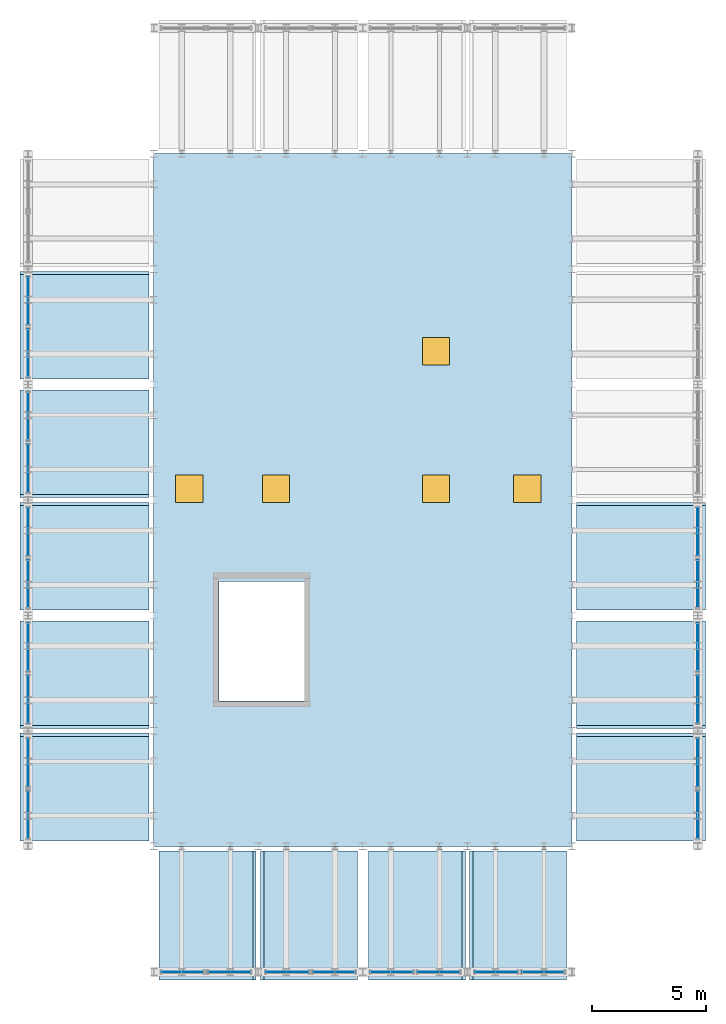
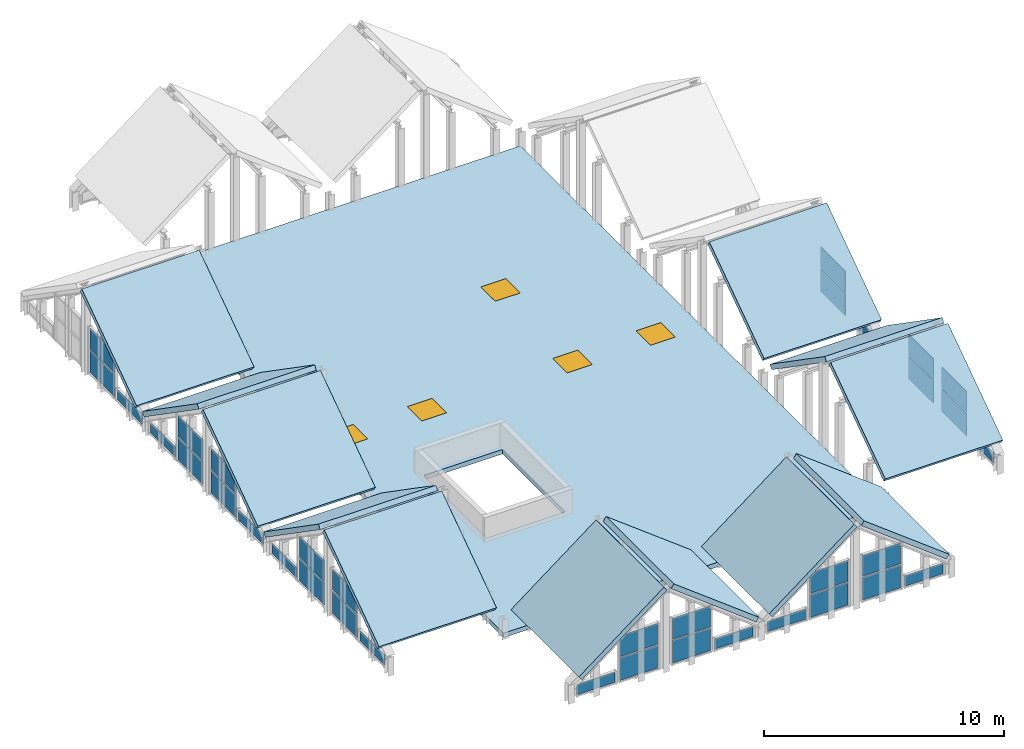
# One storey, part 20 of 21: 36 plates, 13 slabs, 5 doors, 5 openings, 24 elements without a shape of their own.
"""IFC4 building model written with IfcOpenShell, lengths in metres."""

from ifc_helpers import new_model, si_unit, direction, frame, origin, origin_2d, place, context, subcontext, project, spatial, polyline, rectangle, outline, extrude, source, transform, mapped, material, layer, layer_set, type_object, element, fill, aggregate, save


model = new_model("IFC4")

# Units and contexts
model_context = context("Model", 3, precision=1e-05, world=origin(), true_north=direction((0.0, 1.0)))
body_context = subcontext(model_context, "Body", "Model", "MODEL_VIEW")
ifc_project = project(units=[si_unit("LENGTHUNIT", "METRE"), si_unit("AREAUNIT", "SQUARE_METRE"), si_unit("VOLUMEUNIT", "CUBIC_METRE"), si_unit("PLANEANGLEUNIT", "RADIAN"), si_unit("MASSUNIT", "GRAM", prefix="KILO")], contexts=[model_context])

# Site, building, storey
site_placement = place(None, origin())
site = spatial("IfcSite", under=ifc_project, at=site_placement, CompositionType="ELEMENT")
building_placement = place(site_placement, origin())
building = spatial("IfcBuilding", under=site, at=building_placement, Name="Saelheon Loggia Tower", CompositionType="ELEMENT")
storey_placement = place(building_placement, frame((0.0, 0.0, 275.0)))
storey = spatial("IfcBuildingStorey", under=building, at=storey_placement, Name="ROOF", CompositionType="ELEMENT", Elevation=275.0)

# Slab, openings, doors
ifc_material_1 = material(Name="Concrete C45/55", Category="concrete")
ifc_layer_1 = layer(ifc_material_1, 0.22998046875)
ifc_layer_set_1 = layer_set([ifc_layer_1], Name="Concrete C45/55")
slab_type_1 = type_object("IfcSlabType", Name="Slab_ShoulderRoof_230", PredefinedType="ROOF", material=ifc_layer_set_1)
slab_1_placement = place(storey_placement, frame((0.0, 0.0, -0.22998046875)))
slab_1 = element("IfcSlab", 1, at=slab_1_placement, inside=storey, type_object=slab_type_1, Name="Crown Roof Access Bay Slab", PredefinedType="ROOF", context=body_context, shape_type="SweptSolid", body=[
    extrude(outline(polyline([(28.85009765625, 11.85009765625), (47.14990234375, 11.85009765625), (47.14990234375, 42.14990234375), (28.85009765625, 42.14990234375), (28.85009765625, 11.85009765625)]), holes=[polyline([(31.699951171875, 23.429931640625), (31.699951171875, 18.199951171875), (35.47998046875, 18.199951171875), (35.47998046875, 23.429931640625), (31.699951171875, 23.429931640625)])]), origin(), (0.0, 0.0, 1.0), 0.22998046875),
])
opening_1_placement = place(slab_1_placement, frame((30.39990234375, 27.5, 0.0)))
opening_1 = element("IfcOpeningElement", 2, at=opening_1_placement, cuts=slab_1, Name="Opening RH-01", PredefinedType="OPENING", context=body_context, shape_type="SweptSolid", body=[
    extrude(rectangle(XDim=1.199951171875, YDim=1.199951171875, at=origin_2d()), frame((0.0, 0.0, -0.011962890625)), (0.0, 0.0, 1.0), 0.25390625),
])
opening_2_placement = place(slab_1_placement, frame((34.199951171875, 27.5, 0.0)))
opening_2 = element("IfcOpeningElement", 3, at=opening_2_placement, cuts=slab_1, Name="Opening RH-01", PredefinedType="OPENING", context=body_context, shape_type="SweptSolid", body=[
    extrude(rectangle(XDim=1.199951171875, YDim=1.199951171875, at=origin_2d()), frame((0.0, 0.0, -0.011962890625)), (0.0, 0.0, 1.0), 0.25390625),
])
opening_3_placement = place(slab_1_placement, frame((41.199951171875, 27.5, 0.0)))
opening_3 = element("IfcOpeningElement", 4, at=opening_3_placement, cuts=slab_1, Name="Opening RH-01", PredefinedType="OPENING", context=body_context, shape_type="SweptSolid", body=[
    extrude(rectangle(XDim=1.199951171875, YDim=1.199951171875, at=origin_2d()), frame((0.0, 0.0, -0.011962890625)), (0.0, 0.0, 1.0), 0.25390625),
])
opening_4_placement = place(slab_1_placement, frame((45.199951171875, 27.5, 0.0)))
opening_4 = element("IfcOpeningElement", 5, at=opening_4_placement, cuts=slab_1, Name="Opening RH-01", PredefinedType="OPENING", context=body_context, shape_type="SweptSolid", body=[
    extrude(rectangle(XDim=1.199951171875, YDim=1.199951171875, at=origin_2d()), frame((0.0, 0.0, -0.011962890625)), (0.0, 0.0, 1.0), 0.25390625),
])
opening_5_placement = place(slab_1_placement, frame((41.199951171875, 33.5, 0.0)))
opening_5 = element("IfcOpeningElement", 6, at=opening_5_placement, cuts=slab_1, Name="Opening RH-01", PredefinedType="OPENING", context=body_context, shape_type="SweptSolid", body=[
    extrude(rectangle(XDim=1.199951171875, YDim=1.199951171875, at=origin_2d()), frame((0.0, 0.0, -0.011962890625)), (0.0, 0.0, 1.0), 0.25390625),
])
ifc_material_2 = material(Name="Insulated Aluminium Roof Trapdoor", Category="aluminium")
door_type = type_object("IfcDoorType", Name="Hatch_RoofAccess_1200x1200", OperationType="SINGLE_SWING_LEFT", PredefinedType="TRAPDOOR", material=ifc_material_2)
door_1_placement = place(opening_1_placement, frame((0.0, 0.0, 0.179931640625)))
door_1 = element("IfcDoor", 7, at=door_1_placement, inside=storey, type_object=door_type, Name="ROOF Maintenance Access Trapdoor 1", OperationType="SINGLE_SWING_LEFT", OverallHeight=1.199951171875, OverallWidth=1.199951171875, PredefinedType="TRAPDOOR", context=body_context, shape_type="SweptSolid", body=[
    extrude(rectangle(XDim=1.199951171875, YDim=1.199951171875, at=origin_2d()), origin(), (0.0, 0.0, 1.0), 0.050048828125),
])
fill(opening_1, door_1)
door_2_placement = place(opening_2_placement, frame((0.0, 0.0, 0.179931640625)))
door_2 = element("IfcDoor", 8, at=door_2_placement, inside=storey, type_object=door_type, Name="ROOF Maintenance Access Trapdoor 2", OperationType="SINGLE_SWING_LEFT", OverallHeight=1.199951171875, OverallWidth=1.199951171875, PredefinedType="TRAPDOOR", context=body_context, shape_type="SweptSolid", body=[
    extrude(rectangle(XDim=1.199951171875, YDim=1.199951171875, at=origin_2d()), origin(), (0.0, 0.0, 1.0), 0.050048828125),
])
fill(opening_2, door_2)
door_3_placement = place(opening_3_placement, frame((0.0, 0.0, 0.179931640625)))
door_3 = element("IfcDoor", 9, at=door_3_placement, inside=storey, type_object=door_type, Name="ROOF Maintenance Access Trapdoor 3", OperationType="SINGLE_SWING_LEFT", OverallHeight=1.199951171875, OverallWidth=1.199951171875, PredefinedType="TRAPDOOR", context=body_context, shape_type="SweptSolid", body=[
    extrude(rectangle(XDim=1.199951171875, YDim=1.199951171875, at=origin_2d()), origin(), (0.0, 0.0, 1.0), 0.050048828125),
])
fill(opening_3, door_3)
door_4_placement = place(opening_4_placement, frame((0.0, 0.0, 0.179931640625)))
door_4 = element("IfcDoor", 10, at=door_4_placement, inside=storey, type_object=door_type, Name="ROOF Maintenance Access Trapdoor 4", OperationType="SINGLE_SWING_LEFT", OverallHeight=1.199951171875, OverallWidth=1.199951171875, PredefinedType="TRAPDOOR", context=body_context, shape_type="SweptSolid", body=[
    extrude(rectangle(XDim=1.199951171875, YDim=1.199951171875, at=origin_2d()), origin(), (0.0, 0.0, 1.0), 0.050048828125),
])
fill(opening_4, door_4)
door_5_placement = place(opening_5_placement, frame((0.0, 0.0, 0.179931640625)))
door_5 = element("IfcDoor", 11, at=door_5_placement, inside=storey, type_object=door_type, Name="ROOF Maintenance Access Trapdoor 5", OperationType="SINGLE_SWING_LEFT", OverallHeight=1.199951171875, OverallWidth=1.199951171875, PredefinedType="TRAPDOOR", context=body_context, shape_type="SweptSolid", body=[
    extrude(rectangle(XDim=1.199951171875, YDim=1.199951171875, at=origin_2d()), origin(), (0.0, 0.0, 1.0), 0.050048828125),
])
fill(opening_5, door_5)

# Slabs
ifc_material_3 = material(Name="Precast Concrete C45/55", Category="concrete")
ifc_layer_2 = layer(ifc_material_3, 0.239990234375)
ifc_layer_set_2 = layer_set([ifc_layer_2], Name="Precast Concrete C45/55")
slab_type_2 = type_object("IfcSlabType", Name="Slab_WaveRoof_240", PredefinedType="ROOF", material=ifc_layer_set_2)
slab_2_placement = place(storey_placement, frame((23.0, 12.090087890625, 1.21630859375), z_axis=(0.0, -0.569666537561, 0.821875924932), x_axis=(1.0, 0.0, 0.0)))
element("IfcSlab", 12, at=slab_2_placement, inside=storey, type_object=slab_type_2, Name="Crown Wave Crest Roof Facet 01", PredefinedType="ROOF", context=body_context, shape_type="SweptSolid", body=[
    extrude(outline(polyline([(0.0, 0.0), (5.64990234375, 0.0), (5.64990234375, 5.560236137987916), (0.0, 5.560236137987916), (0.0, 0.0)])), origin(), (0.0, 0.0, -1.0), 0.239990234375),
])
for number, where, z_axis, x_axis, name in (
    (13, (23.0, 17.139892578125, 4.3837890625), (0.0, 0.56964598046, 0.821890173287), (1.0, 0.0, 0.0), "Crown Wave Crest Roof Facet 02"),
    (14, (23.0, 22.18994140625, 1.21630859375), (0.0, -0.56964598046, 0.821890173287), (1.0, 0.0, 0.0), "Crown Wave Crest Roof Facet 03"),
    (15, (23.0, 27.239990234375, 4.3837890625), (0.0, 0.56964598046, 0.821890173287), (1.0, 0.0, 0.0), "Crown Wave Crest Roof Facet 04"),
    (16, (23.0, 32.2900390625, 1.21630859375), (0.0, -0.56964598046, 0.821890173287), (1.0, 0.0, 0.0), "Crown Wave Crest Roof Facet 05"),
):
    element("IfcSlab", number, at=place(storey_placement, frame(where, z_axis=z_axis, x_axis=x_axis)), inside=storey, type_object=slab_type_2, Name=name, PredefinedType="ROOF", context=body_context, shape_type="SweptSolid", body=[
        extrude(outline(polyline([(0.0, 0.0), (5.64990234375, 0.0), (5.64990234375, 5.560436793029233), (0.0, 5.560436793029233), (0.0, 0.0)])), origin(), (0.0, 0.0, -1.0), 0.239990234375),
    ])
slab_3_placement = place(storey_placement, frame((47.35009765625, 12.090087890625, 1.21630859375), z_axis=(0.0, -0.569666537561, 0.821875924932), x_axis=(1.0, 0.0, 0.0)))
element("IfcSlab", 17, at=slab_3_placement, inside=storey, type_object=slab_type_2, Name="Crown Wave Crest Roof Facet 07", PredefinedType="ROOF", context=body_context, shape_type="SweptSolid", body=[
    extrude(outline(polyline([(0.0, 0.0), (5.64990234375, 0.0), (5.64990234375, 5.560236137987916), (0.0, 5.560236137987916), (0.0, 0.0)])), origin(), (0.0, 0.0, -1.0), 0.239990234375),
])
for number, where, z_axis, x_axis, name in (
    (18, (47.35009765625, 17.139892578125, 4.3837890625), (0.0, 0.56964598046, 0.821890173287), (1.0, 0.0, 0.0), "Crown Wave Crest Roof Facet 08"),
    (19, (47.35009765625, 22.18994140625, 1.21630859375), (0.0, -0.56964598046, 0.821890173287), (1.0, 0.0, 0.0), "Crown Wave Crest Roof Facet 09"),
):
    element("IfcSlab", number, at=place(storey_placement, frame(where, z_axis=z_axis, x_axis=x_axis)), inside=storey, type_object=slab_type_2, Name=name, PredefinedType="ROOF", context=body_context, shape_type="SweptSolid", body=[
        extrude(outline(polyline([(0.0, 0.0), (5.64990234375, 0.0), (5.64990234375, 5.560436793029233), (0.0, 5.560436793029233), (0.0, 0.0)])), origin(), (0.0, 0.0, -1.0), 0.239990234375),
    ])
for number, where, z_axis, x_axis, name in (
    (20, (29.090087890625, 6.0, 1.233642578125), (-0.607617065771, 0.0, 0.794230131249), (0.0, 1.0, 0.0), "Crown Wave Crest Roof Facet 13"),
    (21, (33.6650390625, 6.0, 4.366455078125), (0.607617065771, 0.0, 0.794230131249), (0.0, 1.0, 0.0), "Crown Wave Crest Roof Facet 14"),
    (22, (38.239990234375, 6.0, 1.233642578125), (-0.607617065771, 0.0, 0.794230131249), (0.0, 1.0, 0.0), "Crown Wave Crest Roof Facet 15"),
    (23, (42.81494140625, 6.0, 4.366455078125), (0.607617065771, 0.0, 0.794230131249), (0.0, 1.0, 0.0), "Crown Wave Crest Roof Facet 16"),
):
    element("IfcSlab", number, at=place(storey_placement, frame(where, z_axis=z_axis, x_axis=x_axis)), inside=storey, type_object=slab_type_2, Name=name, PredefinedType="ROOF", context=body_context, shape_type="SweptSolid", body=[
        extrude(outline(polyline([(0.0, 0.0), (5.64990234375, 0.0), (5.64990234375, -5.155899457864583), (0.0, -5.155899457864583), (0.0, 0.0)])), origin(), (0.0, 0.0, -1.0), 0.239990234375),
    ])

# Curtain wall, plate
ifc_material_4 = material(Name="Bronze-Anodised Aluminium and Fritted Ceramic Screen", Category="aluminium")
ifc_layer_3 = layer(ifc_material_4, 0.219970703125)
ifc_layer_set_3 = layer_set([ifc_layer_3], Name="Bronze-Anodised Aluminium and Fritted Ceramic Screen")
curtain_wall_type = type_object("IfcCurtainWallType", Name="CW_CrownScreen", PredefinedType="NOTDEFINED", material=ifc_layer_set_3)
curtain_wall_1_placement = place(storey_placement, origin())
curtain_wall_1 = element("IfcCurtainWall", 24, at=curtain_wall_1_placement, inside=storey, type_object=curtain_wall_type, Name="ROOF Wave Crest Curtain Wall W 01-1", PredefinedType="NOTDEFINED")
ifc_material_5 = material(Name="Bronze Ceramic Fritted Spandrel Panel", Category="aluminium")
ifc_layer_4 = layer(ifc_material_5, 0.0380859375)
ifc_layer_set_4 = layer_set([ifc_layer_4], Name="Bronze Ceramic Fritted Spandrel Panel")
plate_type = type_object("IfcPlateType", Name="CW_CrownScreen_Panel", PredefinedType="CURTAIN_PANEL", material=ifc_layer_set_4)
shared_shape_1 = source(origin(), body_context, "Body", "SweptSolid", [
    extrude(rectangle(XDim=2.06494140625, YDim=0.0380859375, at=origin_2d()), origin(), (0.0, 0.0, 1.0), 0.510009765625),
])
plate_1_placement = place(storey_placement, frame((23.35009765625, 13.232421875, 0.08984375), z_axis=(0.0, 0.0, 1.0), x_axis=(0.0, 1.0, 0.0)))
plate_1 = element("IfcPlate", 25, at=plate_1_placement, type_object=plate_type, Name="CW6 panel 1.1", PredefinedType="CURTAIN_PANEL", context=body_context, shape_type="MappedRepresentation", body=[
    mapped(shared_shape_1, transform((0.0, 0.0, 0.0), scale=1.0)),
])
aggregate(curtain_wall_1, [plate_1])

curtain_wall_2_placement = place(storey_placement, origin())
curtain_wall_2 = element("IfcCurtainWall", 26, at=curtain_wall_2_placement, inside=storey, type_object=curtain_wall_type, Name="ROOF Wave Crest Curtain Wall W 02-2", PredefinedType="NOTDEFINED")
plate_2_placement = place(storey_placement, frame((23.35009765625, 20.5673828125, 0.08984375), z_axis=(0.0, 0.0, 1.0), x_axis=(0.0, 1.0, 0.0)))
plate_2 = element("IfcPlate", 27, at=plate_2_placement, type_object=plate_type, Name="CW6 panel 1.1", PredefinedType="CURTAIN_PANEL", context=body_context, shape_type="MappedRepresentation", body=[
    mapped(shared_shape_1, transform((0.0, 0.0, 0.0), scale=1.0)),
])
aggregate(curtain_wall_2, [plate_2])

curtain_wall_3_placement = place(storey_placement, origin())
curtain_wall_3 = element("IfcCurtainWall", 28, at=curtain_wall_3_placement, inside=storey, type_object=curtain_wall_type, Name="ROOF Wave Crest Curtain Wall W 03-1", PredefinedType="NOTDEFINED")
plate_3_placement = place(storey_placement, frame((23.35009765625, 23.33251953125, 0.08984375), z_axis=(0.0, 0.0, 1.0), x_axis=(0.0, 1.0, 0.0)))
plate_3 = element("IfcPlate", 29, at=plate_3_placement, type_object=plate_type, Name="CW6 panel 1.1", PredefinedType="CURTAIN_PANEL", context=body_context, shape_type="MappedRepresentation", body=[
    mapped(shared_shape_1, transform((0.0, 0.0, 0.0), scale=1.0)),
])
aggregate(curtain_wall_3, [plate_3])

curtain_wall_4_placement = place(storey_placement, origin())
curtain_wall_4 = element("IfcCurtainWall", 30, at=curtain_wall_4_placement, inside=storey, type_object=curtain_wall_type, Name="ROOF Wave Crest Curtain Wall W 04-2", PredefinedType="NOTDEFINED")
plate_4_placement = place(storey_placement, frame((23.35009765625, 30.66748046875, 0.08984375), z_axis=(0.0, 0.0, 1.0), x_axis=(0.0, 1.0, 0.0)))
plate_4 = element("IfcPlate", 31, at=plate_4_placement, type_object=plate_type, Name="CW6 panel 1.1", PredefinedType="CURTAIN_PANEL", context=body_context, shape_type="MappedRepresentation", body=[
    mapped(shared_shape_1, transform((0.0, 0.0, 0.0), scale=1.0)),
])
aggregate(curtain_wall_4, [plate_4])

curtain_wall_5_placement = place(storey_placement, origin())
curtain_wall_5 = element("IfcCurtainWall", 32, at=curtain_wall_5_placement, inside=storey, type_object=curtain_wall_type, Name="ROOF Wave Crest Curtain Wall W 05-1", PredefinedType="NOTDEFINED")
plate_5_placement = place(storey_placement, frame((23.35009765625, 33.4326171875, 0.08984375), z_axis=(0.0, 0.0, 1.0), x_axis=(0.0, 1.0, 0.0)))
plate_5 = element("IfcPlate", 33, at=plate_5_placement, type_object=plate_type, Name="CW6 panel 1.1", PredefinedType="CURTAIN_PANEL", context=body_context, shape_type="MappedRepresentation", body=[
    mapped(shared_shape_1, transform((0.0, 0.0, 0.0), scale=1.0)),
])
aggregate(curtain_wall_5, [plate_5])

curtain_wall_6_placement = place(storey_placement, origin())
curtain_wall_6 = element("IfcCurtainWall", 34, at=curtain_wall_6_placement, inside=storey, type_object=curtain_wall_type, Name="ROOF Wave Crest Curtain Wall E 01-1", PredefinedType="NOTDEFINED")
plate_6_placement = place(storey_placement, frame((52.64990234375, 13.232421875, 0.08984375), z_axis=(0.0, 0.0, 1.0), x_axis=(0.0, 1.0, 0.0)))
plate_6 = element("IfcPlate", 35, at=plate_6_placement, type_object=plate_type, Name="CW6 panel 1.1", PredefinedType="CURTAIN_PANEL", context=body_context, shape_type="MappedRepresentation", body=[
    mapped(shared_shape_1, transform((0.0, 0.0, 0.0), scale=1.0)),
])
aggregate(curtain_wall_6, [plate_6])

curtain_wall_7_placement = place(storey_placement, origin())
curtain_wall_7 = element("IfcCurtainWall", 36, at=curtain_wall_7_placement, inside=storey, type_object=curtain_wall_type, Name="ROOF Wave Crest Curtain Wall E 02-2", PredefinedType="NOTDEFINED")
plate_7_placement = place(storey_placement, frame((52.64990234375, 20.5673828125, 0.08984375), z_axis=(0.0, 0.0, 1.0), x_axis=(0.0, 1.0, 0.0)))
plate_7 = element("IfcPlate", 37, at=plate_7_placement, type_object=plate_type, Name="CW6 panel 1.1", PredefinedType="CURTAIN_PANEL", context=body_context, shape_type="MappedRepresentation", body=[
    mapped(shared_shape_1, transform((0.0, 0.0, 0.0), scale=1.0)),
])
aggregate(curtain_wall_7, [plate_7])

curtain_wall_8_placement = place(storey_placement, origin())
curtain_wall_8 = element("IfcCurtainWall", 38, at=curtain_wall_8_placement, inside=storey, type_object=curtain_wall_type, Name="ROOF Wave Crest Curtain Wall E 03-1", PredefinedType="NOTDEFINED")
plate_8_placement = place(storey_placement, frame((52.64990234375, 23.33251953125, 0.08984375), z_axis=(0.0, 0.0, 1.0), x_axis=(0.0, 1.0, 0.0)))
plate_8 = element("IfcPlate", 39, at=plate_8_placement, type_object=plate_type, Name="CW6 panel 1.1", PredefinedType="CURTAIN_PANEL", context=body_context, shape_type="MappedRepresentation", body=[
    mapped(shared_shape_1, transform((0.0, 0.0, 0.0), scale=1.0)),
])
aggregate(curtain_wall_8, [plate_8])

curtain_wall_9_placement = place(storey_placement, origin())
curtain_wall_9 = element("IfcCurtainWall", 40, at=curtain_wall_9_placement, inside=storey, type_object=curtain_wall_type, Name="ROOF Wave Crest Curtain Wall W 01-2", PredefinedType="NOTDEFINED")
shared_shape_2 = source(origin(), body_context, "Body", "SweptSolid", [
    extrude(rectangle(XDim=2.06494140625, YDim=0.0380859375, at=origin_2d()), origin(), (0.0, 0.0, 1.0), 1.14501953125),
])
plate_9_placement = place(storey_placement, frame((23.35009765625, 15.517578125, 0.090087890625), z_axis=(0.0, 0.0, 1.0), x_axis=(0.0, 1.0, 0.0)))
plate_9 = element("IfcPlate", 41, at=plate_9_placement, type_object=plate_type, Name="CW6 panel 1.1", PredefinedType="CURTAIN_PANEL", context=body_context, shape_type="MappedRepresentation", body=[
    mapped(shared_shape_2, transform((0.0, 0.0, 0.0), scale=1.0)),
])

curtain_wall_10_placement = place(storey_placement, origin())
curtain_wall_10 = element("IfcCurtainWall", 42, at=curtain_wall_10_placement, inside=storey, type_object=curtain_wall_type, Name="ROOF Wave Crest Curtain Wall W 02-1", PredefinedType="NOTDEFINED")
plate_10_placement = place(storey_placement, frame((23.35009765625, 18.282470703125, 0.090087890625), z_axis=(0.0, 0.0, 1.0), x_axis=(0.0, 1.0, 0.0)))
plate_10 = element("IfcPlate", 43, at=plate_10_placement, type_object=plate_type, Name="CW6 panel 1.1", PredefinedType="CURTAIN_PANEL", context=body_context, shape_type="MappedRepresentation", body=[
    mapped(shared_shape_2, transform((0.0, 0.0, 0.0), scale=1.0)),
])

curtain_wall_11_placement = place(storey_placement, origin())
curtain_wall_11 = element("IfcCurtainWall", 44, at=curtain_wall_11_placement, inside=storey, type_object=curtain_wall_type, Name="ROOF Wave Crest Curtain Wall W 03-2", PredefinedType="NOTDEFINED")
plate_11_placement = place(storey_placement, frame((23.35009765625, 25.617431640625, 0.090087890625), z_axis=(0.0, 0.0, 1.0), x_axis=(0.0, 1.0, 0.0)))
plate_11 = element("IfcPlate", 45, at=plate_11_placement, type_object=plate_type, Name="CW6 panel 1.1", PredefinedType="CURTAIN_PANEL", context=body_context, shape_type="MappedRepresentation", body=[
    mapped(shared_shape_2, transform((0.0, 0.0, 0.0), scale=1.0)),
])

curtain_wall_12_placement = place(storey_placement, origin())
curtain_wall_12 = element("IfcCurtainWall", 46, at=curtain_wall_12_placement, inside=storey, type_object=curtain_wall_type, Name="ROOF Wave Crest Curtain Wall W 04-1", PredefinedType="NOTDEFINED")
plate_12_placement = place(storey_placement, frame((23.35009765625, 28.382568359375, 0.090087890625), z_axis=(0.0, 0.0, 1.0), x_axis=(0.0, 1.0, 0.0)))
plate_12 = element("IfcPlate", 47, at=plate_12_placement, type_object=plate_type, Name="CW6 panel 1.1", PredefinedType="CURTAIN_PANEL", context=body_context, shape_type="MappedRepresentation", body=[
    mapped(shared_shape_2, transform((0.0, 0.0, 0.0), scale=1.0)),
])

curtain_wall_13_placement = place(storey_placement, origin())
curtain_wall_13 = element("IfcCurtainWall", 48, at=curtain_wall_13_placement, inside=storey, type_object=curtain_wall_type, Name="ROOF Wave Crest Curtain Wall W 05-2", PredefinedType="NOTDEFINED")
plate_13_placement = place(storey_placement, frame((23.35009765625, 35.717529296875, 0.090087890625), z_axis=(0.0, 0.0, 1.0), x_axis=(0.0, 1.0, 0.0)))
plate_13 = element("IfcPlate", 49, at=plate_13_placement, type_object=plate_type, Name="CW6 panel 1.1", PredefinedType="CURTAIN_PANEL", context=body_context, shape_type="MappedRepresentation", body=[
    mapped(shared_shape_2, transform((0.0, 0.0, 0.0), scale=1.0)),
])

curtain_wall_14_placement = place(storey_placement, origin())
curtain_wall_14 = element("IfcCurtainWall", 50, at=curtain_wall_14_placement, inside=storey, type_object=curtain_wall_type, Name="ROOF Wave Crest Curtain Wall E 01-2", PredefinedType="NOTDEFINED")
plate_14_placement = place(storey_placement, frame((52.64990234375, 15.517578125, 0.090087890625), z_axis=(0.0, 0.0, 1.0), x_axis=(0.0, 1.0, 0.0)))
plate_14 = element("IfcPlate", 51, at=plate_14_placement, type_object=plate_type, Name="CW6 panel 1.1", PredefinedType="CURTAIN_PANEL", context=body_context, shape_type="MappedRepresentation", body=[
    mapped(shared_shape_2, transform((0.0, 0.0, 0.0), scale=1.0)),
])

curtain_wall_15_placement = place(storey_placement, origin())
curtain_wall_15 = element("IfcCurtainWall", 52, at=curtain_wall_15_placement, inside=storey, type_object=curtain_wall_type, Name="ROOF Wave Crest Curtain Wall E 02-1", PredefinedType="NOTDEFINED")
plate_15_placement = place(storey_placement, frame((52.64990234375, 18.282470703125, 0.090087890625), z_axis=(0.0, 0.0, 1.0), x_axis=(0.0, 1.0, 0.0)))
plate_15 = element("IfcPlate", 53, at=plate_15_placement, type_object=plate_type, Name="CW6 panel 1.1", PredefinedType="CURTAIN_PANEL", context=body_context, shape_type="MappedRepresentation", body=[
    mapped(shared_shape_2, transform((0.0, 0.0, 0.0), scale=1.0)),
])

curtain_wall_16_placement = place(storey_placement, origin())
curtain_wall_16 = element("IfcCurtainWall", 54, at=curtain_wall_16_placement, inside=storey, type_object=curtain_wall_type, Name="ROOF Wave Crest Curtain Wall E 03-2", PredefinedType="NOTDEFINED")
plate_16_placement = place(storey_placement, frame((52.64990234375, 25.617431640625, 0.090087890625), z_axis=(0.0, 0.0, 1.0), x_axis=(0.0, 1.0, 0.0)))
plate_16 = element("IfcPlate", 55, at=plate_16_placement, type_object=plate_type, Name="CW6 panel 1.1", PredefinedType="CURTAIN_PANEL", context=body_context, shape_type="MappedRepresentation", body=[
    mapped(shared_shape_2, transform((0.0, 0.0, 0.0), scale=1.0)),
])

# Plate
shared_shape_3 = source(origin(), body_context, "Body", "SweptSolid", [
    extrude(rectangle(XDim=2.06494140625, YDim=0.0380859375, at=origin_2d()), origin(), (0.0, 0.0, 1.0), 1.044921875),
])
plate_17_placement = place(storey_placement, frame((23.35009765625, 15.517578125, 1.304931640625), z_axis=(0.0, 0.0, 1.0), x_axis=(0.0, 1.0, 0.0)))
plate_17 = element("IfcPlate", 56, at=plate_17_placement, type_object=plate_type, Name="CW6 panel 1.2", PredefinedType="CURTAIN_PANEL", context=body_context, shape_type="MappedRepresentation", body=[
    mapped(shared_shape_3, transform((0.0, 0.0, 0.0), scale=1.0)),
])

aggregate(curtain_wall_9, [plate_9, plate_17])

plate_18_placement = place(storey_placement, frame((23.35009765625, 18.282470703125, 1.304931640625), z_axis=(0.0, 0.0, 1.0), x_axis=(0.0, 1.0, 0.0)))
plate_18 = element("IfcPlate", 57, at=plate_18_placement, type_object=plate_type, Name="CW6 panel 1.2", PredefinedType="CURTAIN_PANEL", context=body_context, shape_type="MappedRepresentation", body=[
    mapped(shared_shape_3, transform((0.0, 0.0, 0.0), scale=1.0)),
])

aggregate(curtain_wall_10, [plate_10, plate_18])

plate_19_placement = place(storey_placement, frame((23.35009765625, 25.617431640625, 1.304931640625), z_axis=(0.0, 0.0, 1.0), x_axis=(0.0, 1.0, 0.0)))
plate_19 = element("IfcPlate", 58, at=plate_19_placement, type_object=plate_type, Name="CW6 panel 1.2", PredefinedType="CURTAIN_PANEL", context=body_context, shape_type="MappedRepresentation", body=[
    mapped(shared_shape_3, transform((0.0, 0.0, 0.0), scale=1.0)),
])

aggregate(curtain_wall_11, [plate_11, plate_19])

plate_20_placement = place(storey_placement, frame((23.35009765625, 28.382568359375, 1.304931640625), z_axis=(0.0, 0.0, 1.0), x_axis=(0.0, 1.0, 0.0)))
plate_20 = element("IfcPlate", 59, at=plate_20_placement, type_object=plate_type, Name="CW6 panel 1.2", PredefinedType="CURTAIN_PANEL", context=body_context, shape_type="MappedRepresentation", body=[
    mapped(shared_shape_3, transform((0.0, 0.0, 0.0), scale=1.0)),
])

aggregate(curtain_wall_12, [plate_12, plate_20])

plate_21_placement = place(storey_placement, frame((23.35009765625, 35.717529296875, 1.304931640625), z_axis=(0.0, 0.0, 1.0), x_axis=(0.0, 1.0, 0.0)))
plate_21 = element("IfcPlate", 60, at=plate_21_placement, type_object=plate_type, Name="CW6 panel 1.2", PredefinedType="CURTAIN_PANEL", context=body_context, shape_type="MappedRepresentation", body=[
    mapped(shared_shape_3, transform((0.0, 0.0, 0.0), scale=1.0)),
])

aggregate(curtain_wall_13, [plate_13, plate_21])

plate_22_placement = place(storey_placement, frame((52.64990234375, 15.517578125, 1.304931640625), z_axis=(0.0, 0.0, 1.0), x_axis=(0.0, 1.0, 0.0)))
plate_22 = element("IfcPlate", 61, at=plate_22_placement, type_object=plate_type, Name="CW6 panel 1.2", PredefinedType="CURTAIN_PANEL", context=body_context, shape_type="MappedRepresentation", body=[
    mapped(shared_shape_3, transform((0.0, 0.0, 0.0), scale=1.0)),
])

aggregate(curtain_wall_14, [plate_14, plate_22])

plate_23_placement = place(storey_placement, frame((52.64990234375, 18.282470703125, 1.304931640625), z_axis=(0.0, 0.0, 1.0), x_axis=(0.0, 1.0, 0.0)))
plate_23 = element("IfcPlate", 62, at=plate_23_placement, type_object=plate_type, Name="CW6 panel 1.2", PredefinedType="CURTAIN_PANEL", context=body_context, shape_type="MappedRepresentation", body=[
    mapped(shared_shape_3, transform((0.0, 0.0, 0.0), scale=1.0)),
])

aggregate(curtain_wall_15, [plate_15, plate_23])

plate_24_placement = place(storey_placement, frame((52.64990234375, 25.617431640625, 1.304931640625), z_axis=(0.0, 0.0, 1.0), x_axis=(0.0, 1.0, 0.0)))
plate_24 = element("IfcPlate", 63, at=plate_24_placement, type_object=plate_type, Name="CW6 panel 1.2", PredefinedType="CURTAIN_PANEL", context=body_context, shape_type="MappedRepresentation", body=[
    mapped(shared_shape_3, transform((0.0, 0.0, 0.0), scale=1.0)),
])

aggregate(curtain_wall_16, [plate_16, plate_24])

# Curtain wall, plate
curtain_wall_17_placement = place(storey_placement, origin())
curtain_wall_17 = element("IfcCurtainWall", 64, at=curtain_wall_17_placement, inside=storey, type_object=curtain_wall_type, Name="ROOF Wave Crest Curtain Wall S 01-1", PredefinedType="NOTDEFINED")
shared_shape_4 = source(origin(), body_context, "Body", "SweptSolid", [
    extrude(rectangle(XDim=1.827392578125, YDim=0.0380859375, at=origin_2d()), origin(), (0.0, 0.0, 1.0), 0.510009765625),
])
plate_25_placement = place(storey_placement, frame((30.11376953125, 6.35009765625, 0.08984375), z_axis=(0.0, 0.0, 1.0), x_axis=(1.0, 0.0, 0.0)))
plate_25 = element("IfcPlate", 65, at=plate_25_placement, type_object=plate_type, Name="CW6 panel 1.1", PredefinedType="CURTAIN_PANEL", context=body_context, shape_type="MappedRepresentation", body=[
    mapped(shared_shape_4, transform((0.0, 0.0, 0.0), scale=1.0)),
])
aggregate(curtain_wall_17, [plate_25])

curtain_wall_18_placement = place(storey_placement, origin())
curtain_wall_18 = element("IfcCurtainWall", 66, at=curtain_wall_18_placement, inside=storey, type_object=curtain_wall_type, Name="ROOF Wave Crest Curtain Wall S 02-2", PredefinedType="NOTDEFINED")
plate_26_placement = place(storey_placement, frame((36.736328125, 6.35009765625, 0.08984375), z_axis=(0.0, 0.0, 1.0), x_axis=(1.0, 0.0, 0.0)))
plate_26 = element("IfcPlate", 67, at=plate_26_placement, type_object=plate_type, Name="CW6 panel 1.1", PredefinedType="CURTAIN_PANEL", context=body_context, shape_type="MappedRepresentation", body=[
    mapped(shared_shape_4, transform((0.0, 0.0, 0.0), scale=1.0)),
])
aggregate(curtain_wall_18, [plate_26])

curtain_wall_19_placement = place(storey_placement, origin())
curtain_wall_19 = element("IfcCurtainWall", 68, at=curtain_wall_19_placement, inside=storey, type_object=curtain_wall_type, Name="ROOF Wave Crest Curtain Wall S 03-1", PredefinedType="NOTDEFINED")
plate_27_placement = place(storey_placement, frame((39.263671875, 6.35009765625, 0.08984375), z_axis=(0.0, 0.0, 1.0), x_axis=(1.0, 0.0, 0.0)))
plate_27 = element("IfcPlate", 69, at=plate_27_placement, type_object=plate_type, Name="CW6 panel 1.1", PredefinedType="CURTAIN_PANEL", context=body_context, shape_type="MappedRepresentation", body=[
    mapped(shared_shape_4, transform((0.0, 0.0, 0.0), scale=1.0)),
])
aggregate(curtain_wall_19, [plate_27])

curtain_wall_20_placement = place(storey_placement, origin())
curtain_wall_20 = element("IfcCurtainWall", 70, at=curtain_wall_20_placement, inside=storey, type_object=curtain_wall_type, Name="ROOF Wave Crest Curtain Wall S 04-2", PredefinedType="NOTDEFINED")
plate_28_placement = place(storey_placement, frame((45.88623046875, 6.35009765625, 0.08984375), z_axis=(0.0, 0.0, 1.0), x_axis=(1.0, 0.0, 0.0)))
plate_28 = element("IfcPlate", 71, at=plate_28_placement, type_object=plate_type, Name="CW6 panel 1.1", PredefinedType="CURTAIN_PANEL", context=body_context, shape_type="MappedRepresentation", body=[
    mapped(shared_shape_4, transform((0.0, 0.0, 0.0), scale=1.0)),
])
aggregate(curtain_wall_20, [plate_28])

curtain_wall_21_placement = place(storey_placement, origin())
curtain_wall_21 = element("IfcCurtainWall", 72, at=curtain_wall_21_placement, inside=storey, type_object=curtain_wall_type, Name="ROOF Wave Crest Curtain Wall S 01-2", PredefinedType="NOTDEFINED")
shared_shape_5 = source(origin(), body_context, "Body", "SweptSolid", [
    extrude(rectangle(XDim=1.827392578125, YDim=0.0380859375, at=origin_2d()), origin(), (0.0, 0.0, 1.0), 1.14501953125),
])
plate_29_placement = place(storey_placement, frame((32.1611328125, 6.35009765625, 0.090087890625), z_axis=(0.0, 0.0, 1.0), x_axis=(1.0, 0.0, 0.0)))
plate_29 = element("IfcPlate", 73, at=plate_29_placement, type_object=plate_type, Name="CW6 panel 1.1", PredefinedType="CURTAIN_PANEL", context=body_context, shape_type="MappedRepresentation", body=[
    mapped(shared_shape_5, transform((0.0, 0.0, 0.0), scale=1.0)),
])

curtain_wall_22_placement = place(storey_placement, origin())
curtain_wall_22 = element("IfcCurtainWall", 74, at=curtain_wall_22_placement, inside=storey, type_object=curtain_wall_type, Name="ROOF Wave Crest Curtain Wall S 02-1", PredefinedType="NOTDEFINED")
plate_30_placement = place(storey_placement, frame((34.688720703125, 6.35009765625, 0.090087890625), z_axis=(0.0, 0.0, 1.0), x_axis=(1.0, 0.0, 0.0)))
plate_30 = element("IfcPlate", 75, at=plate_30_placement, type_object=plate_type, Name="CW6 panel 1.1", PredefinedType="CURTAIN_PANEL", context=body_context, shape_type="MappedRepresentation", body=[
    mapped(shared_shape_5, transform((0.0, 0.0, 0.0), scale=1.0)),
])

curtain_wall_23_placement = place(storey_placement, origin())
curtain_wall_23 = element("IfcCurtainWall", 76, at=curtain_wall_23_placement, inside=storey, type_object=curtain_wall_type, Name="ROOF Wave Crest Curtain Wall S 03-2", PredefinedType="NOTDEFINED")
plate_31_placement = place(storey_placement, frame((41.311279296875, 6.35009765625, 0.090087890625), z_axis=(0.0, 0.0, 1.0), x_axis=(1.0, 0.0, 0.0)))
plate_31 = element("IfcPlate", 77, at=plate_31_placement, type_object=plate_type, Name="CW6 panel 1.1", PredefinedType="CURTAIN_PANEL", context=body_context, shape_type="MappedRepresentation", body=[
    mapped(shared_shape_5, transform((0.0, 0.0, 0.0), scale=1.0)),
])

curtain_wall_24_placement = place(storey_placement, origin())
curtain_wall_24 = element("IfcCurtainWall", 78, at=curtain_wall_24_placement, inside=storey, type_object=curtain_wall_type, Name="ROOF Wave Crest Curtain Wall S 04-1", PredefinedType="NOTDEFINED")
plate_32_placement = place(storey_placement, frame((43.8388671875, 6.35009765625, 0.090087890625), z_axis=(0.0, 0.0, 1.0), x_axis=(1.0, 0.0, 0.0)))
plate_32 = element("IfcPlate", 79, at=plate_32_placement, type_object=plate_type, Name="CW6 panel 1.1", PredefinedType="CURTAIN_PANEL", context=body_context, shape_type="MappedRepresentation", body=[
    mapped(shared_shape_5, transform((0.0, 0.0, 0.0), scale=1.0)),
])

# Plate
shared_shape_6 = source(origin(), body_context, "Body", "SweptSolid", [
    extrude(rectangle(XDim=1.827392578125, YDim=0.0380859375, at=origin_2d()), origin(), (0.0, 0.0, 1.0), 1.044921875),
])
plate_33_placement = place(storey_placement, frame((32.1611328125, 6.35009765625, 1.304931640625), z_axis=(0.0, 0.0, 1.0), x_axis=(1.0, 0.0, 0.0)))
plate_33 = element("IfcPlate", 80, at=plate_33_placement, type_object=plate_type, Name="CW6 panel 1.2", PredefinedType="CURTAIN_PANEL", context=body_context, shape_type="MappedRepresentation", body=[
    mapped(shared_shape_6, transform((0.0, 0.0, 0.0), scale=1.0)),
])

aggregate(curtain_wall_21, [plate_29, plate_33])

plate_34_placement = place(storey_placement, frame((34.688720703125, 6.35009765625, 1.304931640625), z_axis=(0.0, 0.0, 1.0), x_axis=(1.0, 0.0, 0.0)))
plate_34 = element("IfcPlate", 81, at=plate_34_placement, type_object=plate_type, Name="CW6 panel 1.2", PredefinedType="CURTAIN_PANEL", context=body_context, shape_type="MappedRepresentation", body=[
    mapped(shared_shape_6, transform((0.0, 0.0, 0.0), scale=1.0)),
])

aggregate(curtain_wall_22, [plate_30, plate_34])

plate_35_placement = place(storey_placement, frame((41.311279296875, 6.35009765625, 1.304931640625), z_axis=(0.0, 0.0, 1.0), x_axis=(1.0, 0.0, 0.0)))
plate_35 = element("IfcPlate", 82, at=plate_35_placement, type_object=plate_type, Name="CW6 panel 1.2", PredefinedType="CURTAIN_PANEL", context=body_context, shape_type="MappedRepresentation", body=[
    mapped(shared_shape_6, transform((0.0, 0.0, 0.0), scale=1.0)),
])

aggregate(curtain_wall_23, [plate_31, plate_35])

plate_36_placement = place(storey_placement, frame((43.8388671875, 6.35009765625, 1.304931640625), z_axis=(0.0, 0.0, 1.0), x_axis=(1.0, 0.0, 0.0)))
plate_36 = element("IfcPlate", 83, at=plate_36_placement, type_object=plate_type, Name="CW6 panel 1.2", PredefinedType="CURTAIN_PANEL", context=body_context, shape_type="MappedRepresentation", body=[
    mapped(shared_shape_6, transform((0.0, 0.0, 0.0), scale=1.0)),
])

aggregate(curtain_wall_24, [plate_32, plate_36])

save(model, "model.ifc")
